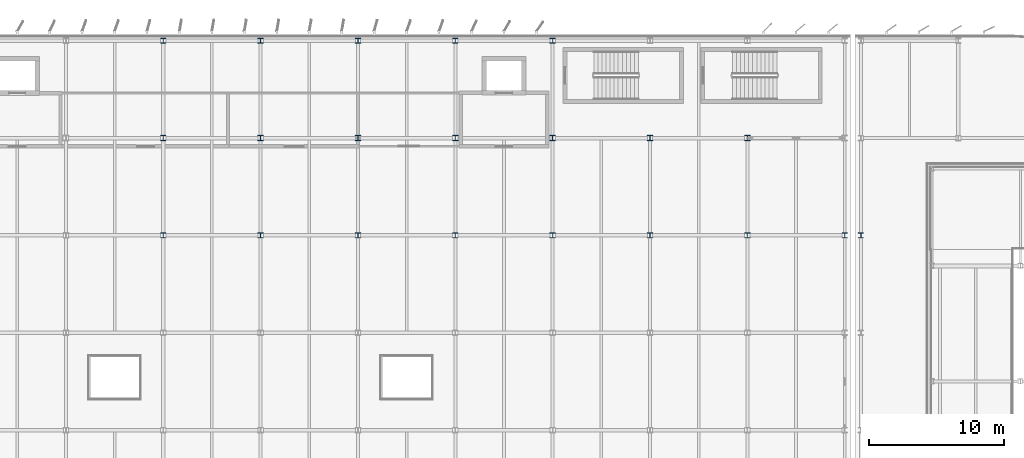
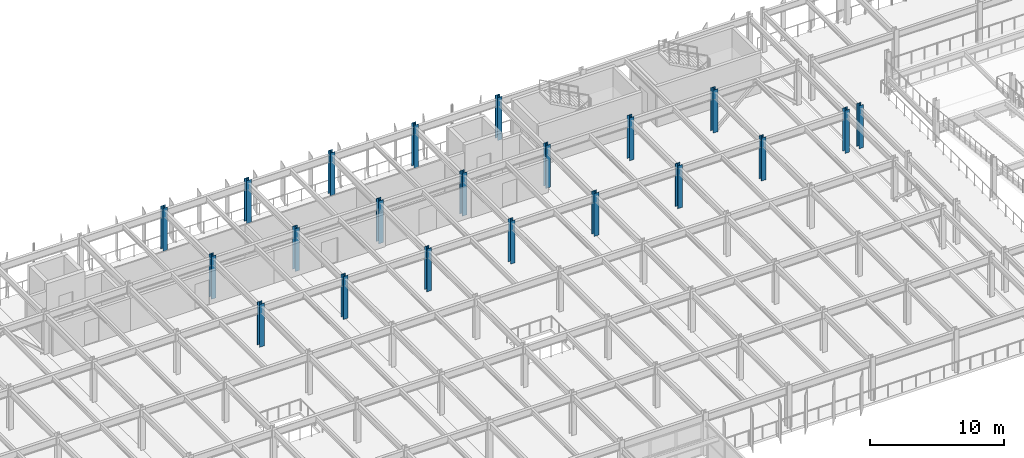
# One storey, part 8 of 93: 21 columns.
"""IFC4 building model written with IfcOpenShell, lengths in metres."""

from ifc_helpers import new_model, si_unit, direction, frame, origin, origin_2d, place, context, subcontext, project, spatial, i_section, extrude, material, material_profile, profile_set, type_object, element, save


model = new_model("IFC4")

# Units and contexts
model_context = context("Model", 3, precision=1e-05, world=origin(), true_north=direction((0.0, 1.0)))
body_context = subcontext(model_context, "Body", "Model", "MODEL_VIEW")
ifc_project = project(units=[si_unit("LENGTHUNIT", "METRE"), si_unit("AREAUNIT", "SQUARE_METRE"), si_unit("VOLUMEUNIT", "CUBIC_METRE"), si_unit("PLANEANGLEUNIT", "RADIAN"), si_unit("MASSUNIT", "GRAM", prefix="KILO")], contexts=[model_context])

# Site, building, storey
site_placement = place(None, origin())
site = spatial("IfcSite", under=ifc_project, at=site_placement, CompositionType="ELEMENT")
building_placement = place(site_placement, origin())
building = spatial("IfcBuilding", under=site, at=building_placement, Name="Vaelcorin Mobility Hub", CompositionType="ELEMENT")
storey_placement = place(building_placement, frame((0.0, 0.0, 5.39990234375)))
storey = spatial("IfcBuildingStorey", under=building, at=storey_placement, Name="L01", CompositionType="ELEMENT", Elevation=5.39990234375)

# Columns
ifc_material = material(Name="Steel ASTM A992 Grade 50", Category="steel")
ifc_material_profile_1 = material_profile(ifc_material, i_section(OverallWidth=0.373046875, OverallDepth=0.373046875, WebThickness=0.016357421875, FlangeThickness=0.026123046875, FilletRadius=0.014892578125, at=origin_2d()), Name="W14X132")
ifc_profile_set_1 = profile_set([ifc_material_profile_1], Name="Steel ASTM A992 Grade 50")
column_type_1 = type_object("IfcColumnType", Name="COL-W14X132", PredefinedType="COLUMN", material=ifc_profile_set_1)
column_placement = place(storey_placement, frame((123.60009765625, 105.60009765625, 0.0), z_axis=(0.0, 0.0, 1.0), x_axis=(1.0, 0.0, 0.0)))
element("IfcColumn", 1, at=column_placement, inside=storey, type_object=column_type_1, Name="Column V2E-G1x5 L01", PredefinedType="COLUMN", context=body_context, shape_type="SweptSolid", body=[
    extrude(i_section(OverallWidth=0.373046875, OverallDepth=0.373046875, WebThickness=0.016357421875, FlangeThickness=0.026123046875, FilletRadius=0.014892578125, at=origin_2d()), origin(), (0.0, 0.0, 1.0), 3.900146484375),
])
ifc_material_profile_2 = material_profile(ifc_material, i_section(OverallWidth=0.39599609375, OverallDepth=0.381103515625, WebThickness=0.018798828125, FlangeThickness=0.0302734375, FilletRadius=0.014892578125, at=origin_2d()), Name="W14X159")
ifc_profile_set_2 = profile_set([ifc_material_profile_2], Name="Steel ASTM A992 Grade 50")
column_type_2 = type_object("IfcColumnType", Name="COL-W14X159", PredefinedType="COLUMN", material=ifc_profile_set_2)
for number, where, z_axis, x_axis, name in (
    (2, (72.0, 105.60009765625, 0.0), (0.0, 0.0, 1.0), (1.0, 0.0, 0.0), "Column V4-X06Y05 L01"),
    (3, (72.0, 120.0, 0.0), (0.0, 0.0, 1.0), (1.0, 0.0, 0.0), "Column V4-X06Y07 L01"),
    (4, (79.199951171875, 105.60009765625, 0.0), (0.0, 0.0, 1.0), (1.0, 0.0, 0.0), "Column V4-X07Y05 L01"),
    (5, (79.199951171875, 120.0, 0.0), (0.0, 0.0, 1.0), (1.0, 0.0, 0.0), "Column V4-X07Y07 L01"),
    (6, (86.39990234375, 105.60009765625, 0.0), (0.0, 0.0, 1.0), (1.0, 0.0, 0.0), "Column V4-X08Y05 L01"),
    (7, (86.39990234375, 120.0, 0.0), (0.0, 0.0, 1.0), (1.0, 0.0, 0.0), "Column V4-X08Y07 L01"),
    (8, (93.60009765625, 105.60009765625, 0.0), (0.0, 0.0, 1.0), (1.0, 0.0, 0.0), "Column V4-X09Y05 L01"),
    (9, (93.60009765625, 120.0, 0.0), (0.0, 0.0, 1.0), (1.0, 0.0, 0.0), "Column V4-X09Y07 L01"),
    (10, (100.800048828125, 105.60009765625, 0.0), (0.0, 0.0, 1.0), (1.0, 0.0, 0.0), "Column V4-X10Y05 L01"),
    (11, (100.800048828125, 120.0, 0.0), (0.0, 0.0, 1.0), (1.0, 0.0, 0.0), "Column V4-X10Y07 L01"),
    (12, (108.0, 105.60009765625, 0.0), (0.0, 0.0, 1.0), (1.0, 0.0, 0.0), "Column V4-X11Y05 L01"),
    (13, (115.199951171875, 105.60009765625, 0.0), (0.0, 0.0, 1.0), (1.0, 0.0, 0.0), "Column V4-X12Y05 L01"),
    (14, (122.39990234375, 105.60009765625, 0.0), (0.0, 0.0, 1.0), (1.0, 0.0, 0.0), "Column V4-X13Y05 L01"),
):
    element("IfcColumn", number, at=place(storey_placement, frame(where, z_axis=z_axis, x_axis=x_axis)), inside=storey, type_object=column_type_2, Name=name, PredefinedType="COLUMN", context=body_context, shape_type="SweptSolid", body=[
        extrude(i_section(OverallWidth=0.39599609375, OverallDepth=0.381103515625, WebThickness=0.018798828125, FlangeThickness=0.0302734375, FilletRadius=0.014892578125, at=origin_2d()), origin(), (0.0, 0.0, 1.0), 3.900146484375),
    ])
ifc_material_profile_3 = material_profile(ifc_material, i_section(OverallWidth=0.39892578125, OverallDepth=0.39404296875, WebThickness=0.022705078125, FlangeThickness=0.03662109375, FilletRadius=0.014892578125, at=origin_2d()), Name="W14X193")
ifc_profile_set_3 = profile_set([ifc_material_profile_3], Name="Steel ASTM A992 Grade 50")
column_type_3 = type_object("IfcColumnType", Name="COL-W14X193", PredefinedType="COLUMN", material=ifc_profile_set_3)
for number, where, z_axis, x_axis, name in (
    (15, (72.0, 112.800048828125, 0.0), (0.0, 0.0, 1.0), (1.0, 0.0, 0.0), "Column V4-X06Y06 L01"),
    (16, (79.199951171875, 112.800048828125, 0.0), (0.0, 0.0, 1.0), (1.0, 0.0, 0.0), "Column V4-X07Y06 L01"),
    (17, (86.39990234375, 112.800048828125, 0.0), (0.0, 0.0, 1.0), (1.0, 0.0, 0.0), "Column V4-X08Y06 L01"),
    (18, (93.60009765625, 112.800048828125, 0.0), (0.0, 0.0, 1.0), (1.0, 0.0, 0.0), "Column V4-X09Y06 L01"),
    (19, (100.800048828125, 112.800048828125, 0.0), (0.0, 0.0, 1.0), (1.0, 0.0, 0.0), "Column V4-X10Y06 L01"),
    (20, (108.0, 112.800048828125, 0.0), (0.0, 0.0, 1.0), (1.0, 0.0, 0.0), "Column V4-X11Y06 L01"),
    (21, (115.199951171875, 112.800048828125, 0.0), (0.0, 0.0, 1.0), (1.0, 0.0, 0.0), "Column V4-X12Y06 L01"),
):
    element("IfcColumn", number, at=place(storey_placement, frame(where, z_axis=z_axis, x_axis=x_axis)), inside=storey, type_object=column_type_3, Name=name, PredefinedType="COLUMN", context=body_context, shape_type="SweptSolid", body=[
        extrude(i_section(OverallWidth=0.39892578125, OverallDepth=0.39404296875, WebThickness=0.022705078125, FlangeThickness=0.03662109375, FilletRadius=0.014892578125, at=origin_2d()), origin(), (0.0, 0.0, 1.0), 3.900146484375),
    ])

save(model, "model.ifc")
